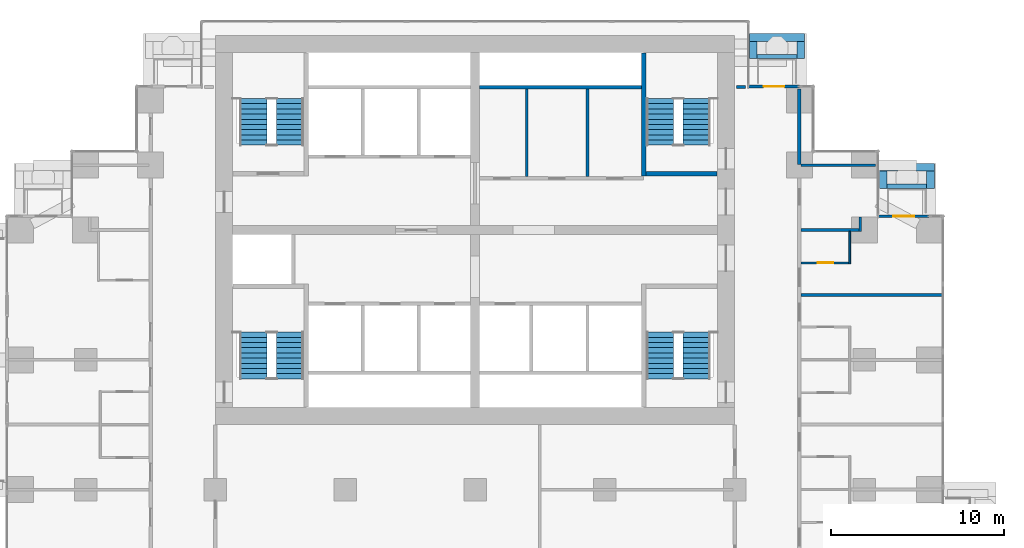
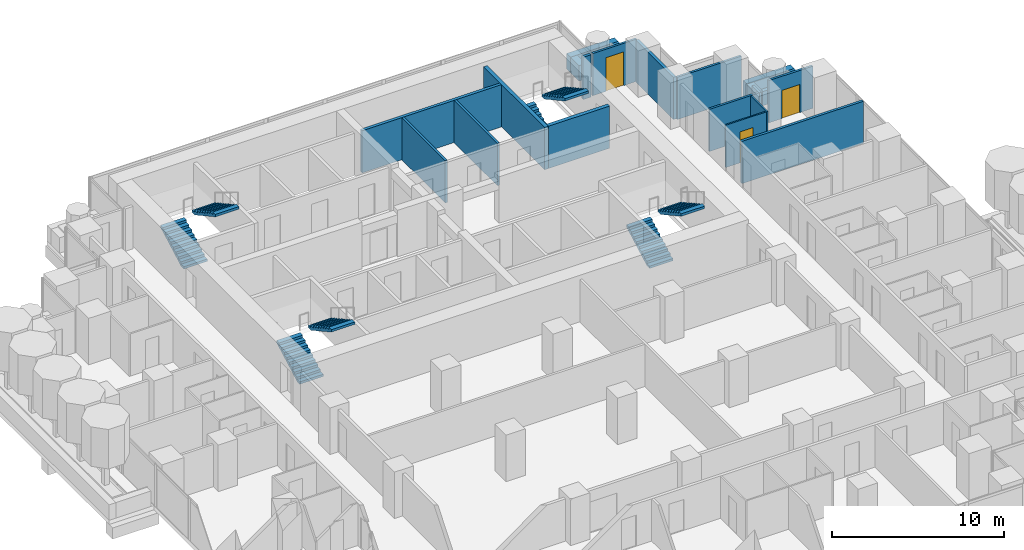
# One storey, part 15 of 18: 23 walls, 8 stair flights, 3 doors, 3 openings, 4 elements without a shape of their own.
"""IFC4 building model written with IfcOpenShell, lengths in metres."""

from ifc_helpers import new_model, si_unit, direction, frame, frame_2d, origin, place, context, subcontext, project, spatial, polyline, rectangle, outline, extrude, material, layer, layer_set, type_object, element, fill, aggregate, save


model = new_model("IFC4")

# Units and contexts
model_context = context("Model", 3, precision=1e-05, world=origin(), true_north=direction((0.0, 1.0)))
body_context = subcontext(model_context, "Body", "Model", "MODEL_VIEW")
ifc_project = project(units=[si_unit("LENGTHUNIT", "METRE"), si_unit("AREAUNIT", "SQUARE_METRE"), si_unit("VOLUMEUNIT", "CUBIC_METRE"), si_unit("PLANEANGLEUNIT", "RADIAN"), si_unit("MASSUNIT", "GRAM", prefix="KILO")], contexts=[model_context])

# Site, building, storey
site_placement = place(None, origin())
site = spatial("IfcSite", under=ifc_project, at=site_placement, CompositionType="ELEMENT")
building_placement = place(site_placement, origin())
building = spatial("IfcBuilding", under=site, at=building_placement, Name="Pilkhan Gate Tower", CompositionType="ELEMENT")
storey_placement = place(building_placement, frame((0.0, 0.0, 82.39990234375)))
storey = spatial("IfcBuildingStorey", under=building, at=storey_placement, Name="L19", CompositionType="ELEMENT", Elevation=82.39990234375)

# Walls
ifc_material_1 = material(Name="Dense blockwork", Category="masonry")
ifc_layer_1 = layer(ifc_material_1, 0.175048828125)
ifc_layer_set_1 = layer_set([ifc_layer_1], Name="Acoustic party wall PW175")
wall_type_1 = type_object("IfcWallType", Name="Acoustic party wall PW175", PredefinedType="PARTITIONING", material=ifc_layer_set_1)
wall_1_placement = place(storey_placement, frame((93.85009765625, 78.75, 0.0), z_axis=(0.0, 0.0, 1.0), x_axis=(1.0, 0.0, 0.0)))
element("IfcWall", 1, at=wall_1_placement, inside=storey, type_object=wall_type_1, Name="Partition L19", PredefinedType="PARTITIONING", context=body_context, shape_type="SweptSolid", body=[
    extrude(rectangle(XDim=8.164794921875, YDim=0.175048828125, at=frame_2d((4.08251953125, 0.0))), origin(), (0.0, 0.0, 1.0), 3.0),
])
ifc_material_2 = material(Name="Concrete C40/50", Category="concrete")
ifc_layer_2 = layer(ifc_material_2, 0.25)
ifc_layer_set_2 = layer_set([ifc_layer_2], Name="Balcony planter BP250")
wall_type_2 = type_object("IfcWallType", Name="Balcony planter BP250", PredefinedType="USERDEFINED", material=ifc_layer_set_2)
wall_2_placement = place(storey_placement, frame((91.300048828125, 92.52490234375, 0.0), z_axis=(0.0, 0.0, 1.0), x_axis=(1.0, 0.0, 0.0)))
element("IfcWall", 2, at=wall_2_placement, inside=storey, type_object=wall_type_2, Name="Balcony planter L19 N", ObjectType="BALCONY PLANTER", PredefinedType="USERDEFINED", context=body_context, shape_type="SweptSolid", body=[
    extrude(rectangle(XDim=2.300048828125, YDim=0.25, at=frame_2d((1.14990234375, 0.0))), origin(), (0.0, 0.0, 1.0), 1.0),
])
wall_3_placement = place(storey_placement, frame((98.820068359375, 85.02490234375, 0.0), z_axis=(0.0, 0.0, 1.0), x_axis=(1.0, 0.0, 0.0)))
element("IfcWall", 3, at=wall_3_placement, inside=storey, type_object=wall_type_2, Name="Balcony planter L19 N", ObjectType="BALCONY PLANTER", PredefinedType="USERDEFINED", context=body_context, shape_type="SweptSolid", body=[
    extrude(rectangle(XDim=2.280029296875, YDim=0.25, at=frame_2d((1.14013671875, 0.0))), origin(), (0.0, 0.0, 1.0), 1.0),
])
ifc_material_3 = material(Name="Board-marked Concrete C40/50", Category="concrete")
ifc_layer_3 = layer(ifc_material_3, 0.449951171875)
ifc_layer_set_3 = layer_set([ifc_layer_3], Name="Balcony planter lip BL450")
wall_type_3 = type_object("IfcWallType", Name="Balcony planter lip BL450", PredefinedType="USERDEFINED", material=ifc_layer_set_3)
wall_4_placement = place(storey_placement, frame((90.85009765625, 93.625, 0.0), z_axis=(0.0, 0.0, 1.0), x_axis=(1.0, 0.0, 0.0)))
element("IfcWall", 4, at=wall_4_placement, inside=storey, type_object=wall_type_3, Name="Balcony planter L19 N", ObjectType="BALCONY PLANTER", PredefinedType="USERDEFINED", context=body_context, shape_type="SweptSolid", body=[
    extrude(rectangle(XDim=3.199951171875, YDim=0.449951171875, at=frame_2d((1.60009765625, 0.0))), origin(), (0.0, 0.0, 1.0), 1.10009765625),
])
for number, where, z_axis, x_axis, name in (
    (5, (91.074951171875, 92.39990234375, 0.0), (0.0, 0.0, 1.0), (0.0, 1.0, 0.0), "Balcony planter L19 N"),
    (6, (93.824951171875, 92.39990234375, 0.0), (0.0, 0.0, 1.0), (0.0, 1.0, 0.0), "Balcony planter L19 N"),
):
    element("IfcWall", number, at=place(storey_placement, frame(where, z_axis=z_axis, x_axis=x_axis)), inside=storey, type_object=wall_type_3, Name=name, ObjectType="BALCONY PLANTER", PredefinedType="USERDEFINED", context=body_context, shape_type="SweptSolid", body=[
        extrude(rectangle(XDim=1.0, YDim=0.449951171875, at=frame_2d((0.5, 0.0))), origin(), (0.0, 0.0, 1.0), 1.10009765625),
    ])
wall_5_placement = place(storey_placement, frame((98.3701171875, 86.125, 0.0), z_axis=(0.0, 0.0, 1.0), x_axis=(1.0, 0.0, 0.0)))
element("IfcWall", 7, at=wall_5_placement, inside=storey, type_object=wall_type_3, Name="Balcony planter L19 N", ObjectType="BALCONY PLANTER", PredefinedType="USERDEFINED", context=body_context, shape_type="SweptSolid", body=[
    extrude(rectangle(XDim=3.179931640625, YDim=0.449951171875, at=frame_2d((1.58984375, 0.0))), origin(), (0.0, 0.0, 1.0), 1.10009765625),
])
for number, where, z_axis, x_axis, name in (
    (8, (98.594970703125, 84.89990234375, 0.0), (0.0, 0.0, 1.0), (0.0, 1.0, 0.0), "Balcony planter L19 N"),
    (9, (101.324951171875, 84.89990234375, 0.0), (0.0, 0.0, 1.0), (0.0, 1.0, 0.0), "Balcony planter L19 N"),
):
    element("IfcWall", number, at=place(storey_placement, frame(where, z_axis=z_axis, x_axis=x_axis)), inside=storey, type_object=wall_type_3, Name=name, ObjectType="BALCONY PLANTER", PredefinedType="USERDEFINED", context=body_context, shape_type="SweptSolid", body=[
        extrude(rectangle(XDim=1.0, YDim=0.449951171875, at=frame_2d((0.5, 0.0))), origin(), (0.0, 0.0, 1.0), 1.10009765625),
    ])
ifc_layer_4 = layer(ifc_material_1, 0.199951171875)
ifc_layer_set_4 = layer_set([ifc_layer_4], Name="Corridor wall FW200")
wall_type_4 = type_object("IfcWallType", Name="Corridor wall FW200", PredefinedType="PARTITIONING", material=ifc_layer_set_4)
wall_6_placement = place(storey_placement, frame((90.1201171875, 90.764892578125, 0.0), z_axis=(0.0, 0.0, 1.0), x_axis=(1.0, 0.0, 0.0)))
element("IfcWall", 10, at=wall_6_placement, inside=storey, type_object=wall_type_4, Name="Partition L19", PredefinedType="PARTITIONING", context=body_context, shape_type="SweptSolid", body=[
    extrude(rectangle(XDim=0.52490234375, YDim=0.199951171875, at=frame_2d((0.262451171875, 0.0))), origin(), (0.0, 0.0, 1.0), 3.0),
])
wall_7_placement = place(storey_placement, frame((93.75, 86.280029296875, 0.0), z_axis=(0.0, 0.0, 1.0), x_axis=(0.0, 1.0, 0.0)))
element("IfcWall", 11, at=wall_7_placement, inside=storey, type_object=wall_type_4, Name="Partition L19", PredefinedType="PARTITIONING", context=body_context, shape_type="SweptSolid", body=[
    extrude(rectangle(XDim=4.364990234375, YDim=0.199951171875, at=frame_2d((2.1826171875, 0.0))), origin(), (0.0, 0.0, 1.0), 3.0),
])

# Wall, opening, door
ifc_material_4 = material(Name="Pale anodised aluminium, clear laminated glazing", Category="aluminium")
ifc_layer_5 = layer(ifc_material_4, 0.14990234375)
ifc_layer_set_5 = layer_set([ifc_layer_5], Name="Facade infill wall IW150")
wall_type_5 = type_object("IfcWallType", Name="Facade infill wall IW150", PredefinedType="SOLIDWALL", material=ifc_layer_set_5)
wall_8_placement = place(storey_placement, frame((98.294921875, 83.294921875, 0.0), z_axis=(0.0, 0.0, 1.0), x_axis=(1.0, 0.0, 0.0)))
wall_8 = element("IfcWall", 12, at=wall_8_placement, inside=storey, type_object=wall_type_5, Name="Infill wall L19 N", PredefinedType="SOLIDWALL", context=body_context, shape_type="SweptSolid", body=[
    extrude(rectangle(XDim=2.955078125, YDim=0.14990234375, at=frame_2d((1.4775390625, 0.0))), origin(), (0.0, 0.0, 1.0), 3.0),
])
opening_1_placement = place(wall_8_placement, frame((0.87744140625, 0.0, 0.0)))
opening_1 = element("IfcOpeningElement", 13, at=opening_1_placement, cuts=wall_8, Name="Opening D1L", PredefinedType="OPENING", context=body_context, shape_type="SweptSolid", body=[
    extrude(rectangle(XDim=1.199951171875, YDim=2.0, at=frame_2d((0.60009765625, 1.0))), frame((0.0, 0.0849609375, 0.0), z_axis=(0.0, -1.0, 0.0), x_axis=(1.0, 0.0, 0.0)), (0.0, 0.0, 1.0), 0.169921875),
])
ifc_material_5 = material(Name="Pale anodised aluminium, clear glazing", Category="aluminium")
door_type_1 = type_object("IfcDoorType", Name="Balcony door D1L 1200x2000", OperationType="SINGLE_SWING_LEFT", PredefinedType="DOOR", material=ifc_material_5)
door_1_placement = place(opening_1_placement, origin())
door_1 = element("IfcDoor", 14, at=door_1_placement, inside=storey, type_object=door_type_1, Name="Balcony door L19", OperationType="SINGLE_SWING_LEFT", OverallHeight=2.0, OverallWidth=1.199951171875, PredefinedType="DOOR", context=body_context, shape_type="SweptSolid", body=[
    extrude(rectangle(XDim=1.199951171875, YDim=2.0, at=frame_2d((0.60009765625, 1.0))), frame((0.0, 0.02490234375, 0.0), z_axis=(0.0, -1.0, 0.0), x_axis=(1.0, 0.0, 0.0)), (0.0, 0.0, 1.0), 0.050048828125),
])
fill(opening_1, door_1)

wall_9_placement = place(storey_placement, frame((90.794921875, 90.794921875, 0.0), z_axis=(0.0, 0.0, 1.0), x_axis=(1.0, 0.0, 0.0)))
wall_9 = element("IfcWall", 15, at=wall_9_placement, inside=storey, type_object=wall_type_5, Name="Infill wall L19 N", PredefinedType="SOLIDWALL", context=body_context, shape_type="SweptSolid", body=[
    extrude(rectangle(XDim=2.955078125, YDim=0.14990234375, at=frame_2d((1.4775390625, 0.0))), origin(), (0.0, 0.0, 1.0), 3.0),
])
opening_2_placement = place(wall_9_placement, frame((0.87744140625, 0.0, 0.0)))
opening_2 = element("IfcOpeningElement", 16, at=opening_2_placement, cuts=wall_9, Name="Opening D1", PredefinedType="OPENING", context=body_context, shape_type="SweptSolid", body=[
    extrude(rectangle(XDim=1.199951171875, YDim=2.39990234375, at=frame_2d((0.60009765625, 1.199951171875))), frame((0.0, 0.0849609375, 0.0), z_axis=(0.0, -1.0, 0.0), x_axis=(1.0, 0.0, 0.0)), (0.0, 0.0, 1.0), 0.169921875),
])
door_type_2 = type_object("IfcDoorType", Name="Balcony door D1 1200x2400", OperationType="SINGLE_SWING_LEFT", PredefinedType="DOOR", material=ifc_material_5)
door_2_placement = place(opening_2_placement, origin())
door_2 = element("IfcDoor", 17, at=door_2_placement, inside=storey, type_object=door_type_2, Name="Balcony door L19", OperationType="SINGLE_SWING_LEFT", OverallHeight=2.39990234375, OverallWidth=1.199951171875, PredefinedType="DOOR", context=body_context, shape_type="SweptSolid", body=[
    extrude(rectangle(XDim=1.199951171875, YDim=2.39990234375, at=frame_2d((0.60009765625, 1.199951171875))), frame((0.0, 0.02490234375, 0.0), z_axis=(0.0, -1.0, 0.0), x_axis=(1.0, 0.0, 0.0)), (0.0, 0.0, 1.0), 0.050048828125),
])
fill(opening_2, door_2)

# Walls
ifc_layer_6 = layer(ifc_material_1, 0.199951171875)
ifc_layer_set_6 = layer_set([ifc_layer_6], Name="Lobby wall LW200")
wall_type_6 = type_object("IfcWallType", Name="Lobby wall LW200", PredefinedType="PARTITIONING", material=ifc_layer_set_6)
wall_10_placement = place(storey_placement, frame((75.260009765625, 90.75, 0.0), z_axis=(0.0, 0.0, 1.0), x_axis=(1.0, 0.0, 0.0)))
element("IfcWall", 18, at=wall_10_placement, inside=storey, type_object=wall_type_6, Name="Partition L19", PredefinedType="PARTITIONING", context=body_context, shape_type="SweptSolid", body=[
    extrude(rectangle(XDim=9.364990234375, YDim=0.199951171875, at=frame_2d((4.6826171875, 0.0))), origin(), (0.0, 0.0, 1.0), 3.0),
])
ifc_material_6 = material(Name="Blockwork partition, plastered both sides", Category="masonry")
ifc_layer_7 = layer(ifc_material_6, 0.14990234375)
ifc_layer_set_7 = layer_set([ifc_layer_7], Name="Partition PW150")
wall_type_7 = type_object("IfcWallType", Name="Partition PW150", PredefinedType="PARTITIONING", material=ifc_layer_set_7)
wall_11_placement = place(storey_placement, frame((93.85009765625, 82.5, 0.0), z_axis=(0.0, 0.0, 1.0), x_axis=(1.0, 0.0, 0.0)))
element("IfcWall", 19, at=wall_11_placement, inside=storey, type_object=wall_type_7, Name="Partition L19", PredefinedType="PARTITIONING", context=body_context, shape_type="SweptSolid", body=[
    extrude(rectangle(XDim=3.33984375, YDim=0.14990234375, at=frame_2d((1.669921875, 0.0))), origin(), (0.0, 0.0, 1.0), 3.0),
])
wall_12_placement = place(storey_placement, frame((93.85009765625, 86.25, 0.0), z_axis=(0.0, 0.0, 1.0), x_axis=(1.0, 0.0, 0.0)))
element("IfcWall", 20, at=wall_12_placement, inside=storey, type_object=wall_type_7, Name="Partition L19", PredefinedType="PARTITIONING", context=body_context, shape_type="SweptSolid", body=[
    extrude(rectangle(XDim=4.294921875, YDim=0.14990234375, at=frame_2d((2.1474609375, 0.0))), origin(), (0.0, 0.0, 1.0), 3.0),
])
for number, where, z_axis, x_axis, name in (
    (21, (78.0, 85.60009765625, 0.0), (0.0, 0.0, 1.0), (0.0, 1.0, 0.0), "Partition L19"),
    (22, (81.5, 85.60009765625, 0.0), (0.0, 0.0, 1.0), (0.0, 1.0, 0.0), "Partition L19"),
):
    element("IfcWall", number, at=place(storey_placement, frame(where, z_axis=z_axis, x_axis=x_axis)), inside=storey, type_object=wall_type_7, Name=name, PredefinedType="PARTITIONING", context=body_context, shape_type="SweptSolid", body=[
        extrude(rectangle(XDim=5.0498046875, YDim=0.14990234375, at=frame_2d((2.52490234375, 0.0))), origin(), (0.0, 0.0, 1.0), 3.0),
    ])
wall_13_placement = place(storey_placement, frame((97.264892578125, 82.425048828125, 0.0), z_axis=(0.0, 0.0, 1.0), x_axis=(0.0, 1.0, 0.0)))
element("IfcWall", 23, at=wall_13_placement, inside=storey, type_object=wall_type_7, Name="Partition L19", PredefinedType="PARTITIONING", context=body_context, shape_type="SweptSolid", body=[
    extrude(rectangle(XDim=0.83984375, YDim=0.14990234375, at=frame_2d((0.419921875, 0.0))), origin(), (0.0, 0.0, 1.0), 3.0),
])
ifc_material_7 = material(Name="Reinforced blockwork, 120 minute fire resisting", Category="masonry")
ifc_layer_8 = layer(ifc_material_7, 0.25)
ifc_layer_set_8 = layer_set([ifc_layer_8], Name="Stair enclosure wall SE250")
wall_type_8 = type_object("IfcWallType", Name="Stair enclosure wall SE250", PredefinedType="PARTITIONING", material=ifc_layer_set_8)
wall_14_placement = place(storey_placement, frame((84.875, 85.75, 0.0), z_axis=(0.0, 0.0, 1.0), x_axis=(1.0, 0.0, 0.0)))
element("IfcWall", 24, at=wall_14_placement, inside=storey, type_object=wall_type_8, Name="Partition L19", PredefinedType="PARTITIONING", context=body_context, shape_type="SweptSolid", body=[
    extrude(rectangle(XDim=4.114990234375, YDim=0.25, at=frame_2d((2.0576171875, 0.0))), origin(), (0.0, 0.0, 1.0), 3.0),
])
wall_15_placement = place(storey_placement, frame((84.75, 85.625, 0.0), z_axis=(0.0, 0.0, 1.0), x_axis=(0.0, 1.0, 0.0)))
element("IfcWall", 25, at=wall_15_placement, inside=storey, type_object=wall_type_8, Name="Partition L19", PredefinedType="PARTITIONING", context=body_context, shape_type="SweptSolid", body=[
    extrude(rectangle(XDim=7.114990234375, YDim=0.25, at=frame_2d((3.5576171875, 0.0))), origin(), (0.0, 0.0, 1.0), 3.0),
])

# Wall, opening, door
ifc_material_8 = material(Name="Moisture resistant board, tiled")
ifc_layer_9 = layer(ifc_material_8, 0.10009765625)
ifc_layer_set_9 = layer_set([ifc_layer_9], Name="Wet wall PW100")
wall_type_9 = type_object("IfcWallType", Name="Wet wall PW100", PredefinedType="PARTITIONING", material=ifc_layer_set_9)
wall_16_placement = place(storey_placement, frame((93.85009765625, 80.60009765625, 0.0), z_axis=(0.0, 0.0, 1.0), x_axis=(1.0, 0.0, 0.0)))
wall_16 = element("IfcWall", 26, at=wall_16_placement, inside=storey, type_object=wall_type_9, Name="Partition L19", PredefinedType="PARTITIONING", context=body_context, shape_type="SweptSolid", body=[
    extrude(rectangle(XDim=2.75, YDim=0.10009765625, at=frame_2d((1.375, 0.0))), origin(), (0.0, 0.0, 1.0), 3.0),
])
opening_3_placement = place(wall_16_placement, frame((0.949951171875, 0.0, 0.0)))
opening_3 = element("IfcOpeningElement", 27, at=opening_3_placement, cuts=wall_16, Name="Opening L19-43", PredefinedType="OPENING", context=body_context, shape_type="SweptSolid", body=[
    extrude(rectangle(XDim=0.89990234375, YDim=2.199951171875, at=frame_2d((0.449951171875, 1.10009765625))), frame((0.0, 0.06005859375, 0.0), z_axis=(0.0, -1.0, 0.0), x_axis=(1.0, 0.0, 0.0)), (0.0, 0.0, 1.0), 0.1201171875),
])
ifc_material_9 = material(Name="Timber flush door", Category="wood")
door_type_3 = type_object("IfcDoorType", Name="Bathroom door D02 900x2200", OperationType="SINGLE_SWING_RIGHT", PredefinedType="DOOR", material=ifc_material_9)
door_3_placement = place(opening_3_placement, origin())
door_3 = element("IfcDoor", 28, at=door_3_placement, inside=storey, type_object=door_type_3, Name="Bathroom door", OperationType="SINGLE_SWING_RIGHT", OverallHeight=2.199951171875, OverallWidth=0.89990234375, PredefinedType="DOOR", context=body_context, shape_type="SweptSolid", body=[
    extrude(rectangle(XDim=0.89990234375, YDim=2.199951171875, at=frame_2d((0.449951171875, 1.10009765625))), frame((0.0, 0.02490234375, 0.0), z_axis=(0.0, -1.0, 0.0), x_axis=(1.0, 0.0, 0.0)), (0.0, 0.0, 1.0), 0.050048828125),
])
fill(opening_3, door_3)

# Wall
wall_17_placement = place(storey_placement, frame((96.64990234375, 80.550048828125, 0.0), z_axis=(0.0, 0.0, 1.0), x_axis=(0.0, 1.0, 0.0)))
element("IfcWall", 29, at=wall_17_placement, inside=storey, type_object=wall_type_9, Name="Partition L19", PredefinedType="PARTITIONING", context=body_context, shape_type="SweptSolid", body=[
    extrude(rectangle(XDim=1.875, YDim=0.10009765625, at=frame_2d((0.9375, 0.0))), origin(), (0.0, 0.0, 1.0), 3.0),
])

# Stair, stair flights
ifc_material_10 = material(Name="Concrete C40/50 precast", Category="concrete")
stair_type_1 = type_object("IfcStairType", Name="Stair ST1 165x300", PredefinedType="HALF_TURN_STAIR", material=ifc_material_10)
stair_1_placement = place(storey_placement, origin())
stair_1 = element("IfcStair", 30, at=stair_1_placement, inside=storey, type_object=stair_type_1, Name="Stair ST1 L19", PredefinedType="HALF_TURN_STAIR")
stair_flight_type_1 = type_object("IfcStairFlightType", Name="Stair flight ST1 165x300x10", PredefinedType="STRAIGHT", material=ifc_material_10)
stair_flight_1_placement = place(storey_placement, frame((85.68994140625, 73.89990234375, 0.0), z_axis=(0.0, 0.0, 1.0), x_axis=(0.0, 1.0, 0.0)))
stair_flight_1 = element("IfcStairFlight", 31, at=stair_flight_1_placement, type_object=stair_flight_type_1, Name="ST1 flight 1", NumberOfRisers=10, NumberOfTreads=9, PredefinedType="STRAIGHT", RiserHeight=0.165, TreadLength=0.3, context=body_context, shape_type="SweptSolid", body=[
    extrude(outline(polyline([(0.0, 0.0), (0.0, 0.1650390625), (0.300048828125, 0.1650390625), (0.300048828125, 0.330078125), (0.60009765625, 0.330078125), (0.60009765625, 0.4951171875), (0.89990234375, 0.4951171875), (0.89990234375, 0.659912109375), (1.199951171875, 0.659912109375), (1.199951171875, 0.824951171875), (1.5, 0.824951171875), (1.5, 0.989990234375), (1.800048828125, 0.989990234375), (1.800048828125, 1.155029296875), (2.10009765625, 1.155029296875), (2.10009765625, 1.320068359375), (2.39990234375, 1.320068359375), (2.39990234375, 1.485107421875), (2.699951171875, 1.485107421875), (2.699951171875, 1.64990234375), (2.699951171875, 1.31396484375), (0.31103515625, 0.0), (0.0, 0.0)])), frame((0.0, 0.7900390625, 0.0), z_axis=(0.0, -1.0, 0.0), x_axis=(1.0, 0.0, 0.0)), (0.0, 0.0, 1.0), 1.580078125),
])
stair_flight_2_placement = place(storey_placement, frame((87.81005859375, 76.60009765625, 1.650146484375), z_axis=(0.0, 0.0, 1.0), x_axis=(0.0, -1.0, 0.0)))
stair_flight_2 = element("IfcStairFlight", 32, at=stair_flight_2_placement, type_object=stair_flight_type_1, Name="ST1 flight 2", NumberOfRisers=10, NumberOfTreads=9, PredefinedType="STRAIGHT", RiserHeight=0.165, TreadLength=0.3, context=body_context, shape_type="SweptSolid", body=[
    extrude(outline(polyline([(0.0, 0.0), (0.0, 0.1650390625), (0.300048828125, 0.1650390625), (0.300048828125, 0.330078125), (0.60009765625, 0.330078125), (0.60009765625, 0.4951171875), (0.89990234375, 0.4951171875), (0.89990234375, 0.659912109375), (1.199951171875, 0.659912109375), (1.199951171875, 0.824951171875), (1.5, 0.824951171875), (1.5, 0.989990234375), (1.800048828125, 0.989990234375), (1.800048828125, 1.155029296875), (2.10009765625, 1.155029296875), (2.10009765625, 1.320068359375), (2.39990234375, 1.320068359375), (2.39990234375, 1.485107421875), (2.699951171875, 1.485107421875), (2.699951171875, 1.64990234375), (2.699951171875, 1.31396484375), (0.31103515625, 0.0), (0.0, 0.0)])), frame((0.0, 0.7900390625, 0.0), z_axis=(0.0, -1.0, 0.0), x_axis=(1.0, 0.0, 0.0)), (0.0, 0.0, 1.0), 1.580078125),
])
aggregate(stair_1, [stair_flight_1, stair_flight_2])

stair_type_2 = type_object("IfcStairType", Name="Stair ST2 165x300", PredefinedType="HALF_TURN_STAIR", material=ifc_material_10)
stair_2_placement = place(storey_placement, origin())
stair_2 = element("IfcStair", 33, at=stair_2_placement, inside=storey, type_object=stair_type_2, Name="Stair ST2 L19", PredefinedType="HALF_TURN_STAIR")
stair_flight_type_2 = type_object("IfcStairFlightType", Name="Stair flight ST2 165x300x10", PredefinedType="STRAIGHT", material=ifc_material_10)
stair_flight_3_placement = place(storey_placement, frame((62.18994140625, 73.89990234375, 0.0), z_axis=(0.0, 0.0, 1.0), x_axis=(0.0, 1.0, 0.0)))
stair_flight_3 = element("IfcStairFlight", 34, at=stair_flight_3_placement, type_object=stair_flight_type_2, Name="ST2 flight 1", NumberOfRisers=10, NumberOfTreads=9, PredefinedType="STRAIGHT", RiserHeight=0.165, TreadLength=0.3, context=body_context, shape_type="SweptSolid", body=[
    extrude(outline(polyline([(0.0, 0.0), (0.0, 0.1650390625), (0.300048828125, 0.1650390625), (0.300048828125, 0.330078125), (0.60009765625, 0.330078125), (0.60009765625, 0.4951171875), (0.89990234375, 0.4951171875), (0.89990234375, 0.659912109375), (1.199951171875, 0.659912109375), (1.199951171875, 0.824951171875), (1.5, 0.824951171875), (1.5, 0.989990234375), (1.800048828125, 0.989990234375), (1.800048828125, 1.155029296875), (2.10009765625, 1.155029296875), (2.10009765625, 1.320068359375), (2.39990234375, 1.320068359375), (2.39990234375, 1.485107421875), (2.699951171875, 1.485107421875), (2.699951171875, 1.64990234375), (2.699951171875, 1.31396484375), (0.31103515625, 0.0), (0.0, 0.0)])), frame((0.0, 0.7900390625, 0.0), z_axis=(0.0, -1.0, 0.0), x_axis=(1.0, 0.0, 0.0)), (0.0, 0.0, 1.0), 1.580078125),
])
stair_flight_4_placement = place(storey_placement, frame((64.31005859375, 76.60009765625, 1.650146484375), z_axis=(0.0, 0.0, 1.0), x_axis=(0.0, -1.0, 0.0)))
stair_flight_4 = element("IfcStairFlight", 35, at=stair_flight_4_placement, type_object=stair_flight_type_2, Name="ST2 flight 2", NumberOfRisers=10, NumberOfTreads=9, PredefinedType="STRAIGHT", RiserHeight=0.165, TreadLength=0.3, context=body_context, shape_type="SweptSolid", body=[
    extrude(outline(polyline([(0.0, 0.0), (0.0, 0.1650390625), (0.300048828125, 0.1650390625), (0.300048828125, 0.330078125), (0.60009765625, 0.330078125), (0.60009765625, 0.4951171875), (0.89990234375, 0.4951171875), (0.89990234375, 0.659912109375), (1.199951171875, 0.659912109375), (1.199951171875, 0.824951171875), (1.5, 0.824951171875), (1.5, 0.989990234375), (1.800048828125, 0.989990234375), (1.800048828125, 1.155029296875), (2.10009765625, 1.155029296875), (2.10009765625, 1.320068359375), (2.39990234375, 1.320068359375), (2.39990234375, 1.485107421875), (2.699951171875, 1.485107421875), (2.699951171875, 1.64990234375), (2.699951171875, 1.31396484375), (0.31103515625, 0.0), (0.0, 0.0)])), frame((0.0, 0.7900390625, 0.0), z_axis=(0.0, -1.0, 0.0), x_axis=(1.0, 0.0, 0.0)), (0.0, 0.0, 1.0), 1.580078125),
])
aggregate(stair_2, [stair_flight_3, stair_flight_4])

stair_type_3 = type_object("IfcStairType", Name="Stair ST3 165x300", PredefinedType="HALF_TURN_STAIR", material=ifc_material_10)
stair_3_placement = place(storey_placement, origin())
stair_3 = element("IfcStair", 36, at=stair_3_placement, inside=storey, type_object=stair_type_3, Name="Stair ST3 L19", PredefinedType="HALF_TURN_STAIR")
stair_flight_type_3 = type_object("IfcStairFlightType", Name="Stair flight ST3 165x300x10", PredefinedType="STRAIGHT", material=ifc_material_10)
stair_flight_5_placement = place(storey_placement, frame((62.18994140625, 87.39990234375, 0.0), z_axis=(0.0, 0.0, 1.0), x_axis=(0.0, 1.0, 0.0)))
stair_flight_5 = element("IfcStairFlight", 37, at=stair_flight_5_placement, type_object=stair_flight_type_3, Name="ST3 flight 1", NumberOfRisers=10, NumberOfTreads=9, PredefinedType="STRAIGHT", RiserHeight=0.165, TreadLength=0.3, context=body_context, shape_type="SweptSolid", body=[
    extrude(outline(polyline([(0.0, 0.0), (0.0, 0.1650390625), (0.300048828125, 0.1650390625), (0.300048828125, 0.330078125), (0.60009765625, 0.330078125), (0.60009765625, 0.4951171875), (0.89990234375, 0.4951171875), (0.89990234375, 0.659912109375), (1.199951171875, 0.659912109375), (1.199951171875, 0.824951171875), (1.5, 0.824951171875), (1.5, 0.989990234375), (1.800048828125, 0.989990234375), (1.800048828125, 1.155029296875), (2.10009765625, 1.155029296875), (2.10009765625, 1.320068359375), (2.39990234375, 1.320068359375), (2.39990234375, 1.485107421875), (2.699951171875, 1.485107421875), (2.699951171875, 1.64990234375), (2.699951171875, 1.31396484375), (0.31103515625, 0.0), (0.0, 0.0)])), frame((0.0, 0.7900390625, 0.0), z_axis=(0.0, -1.0, 0.0), x_axis=(1.0, 0.0, 0.0)), (0.0, 0.0, 1.0), 1.580078125),
])
stair_flight_6_placement = place(storey_placement, frame((64.31005859375, 90.10009765625, 1.650146484375), z_axis=(0.0, 0.0, 1.0), x_axis=(0.0, -1.0, 0.0)))
stair_flight_6 = element("IfcStairFlight", 38, at=stair_flight_6_placement, type_object=stair_flight_type_3, Name="ST3 flight 2", NumberOfRisers=10, NumberOfTreads=9, PredefinedType="STRAIGHT", RiserHeight=0.165, TreadLength=0.3, context=body_context, shape_type="SweptSolid", body=[
    extrude(outline(polyline([(0.0, 0.0), (0.0, 0.1650390625), (0.300048828125, 0.1650390625), (0.300048828125, 0.330078125), (0.60009765625, 0.330078125), (0.60009765625, 0.4951171875), (0.89990234375, 0.4951171875), (0.89990234375, 0.659912109375), (1.199951171875, 0.659912109375), (1.199951171875, 0.824951171875), (1.5, 0.824951171875), (1.5, 0.989990234375), (1.800048828125, 0.989990234375), (1.800048828125, 1.155029296875), (2.10009765625, 1.155029296875), (2.10009765625, 1.320068359375), (2.39990234375, 1.320068359375), (2.39990234375, 1.485107421875), (2.699951171875, 1.485107421875), (2.699951171875, 1.64990234375), (2.699951171875, 1.31396484375), (0.31103515625, 0.0), (0.0, 0.0)])), frame((0.0, 0.7900390625, 0.0), z_axis=(0.0, -1.0, 0.0), x_axis=(1.0, 0.0, 0.0)), (0.0, 0.0, 1.0), 1.580078125),
])
aggregate(stair_3, [stair_flight_5, stair_flight_6])

stair_type_4 = type_object("IfcStairType", Name="Stair ST4 165x300", PredefinedType="HALF_TURN_STAIR", material=ifc_material_10)
stair_4_placement = place(storey_placement, origin())
stair_4 = element("IfcStair", 39, at=stair_4_placement, inside=storey, type_object=stair_type_4, Name="Stair ST4 L19", PredefinedType="HALF_TURN_STAIR")
stair_flight_type_4 = type_object("IfcStairFlightType", Name="Stair flight ST4 165x300x10", PredefinedType="STRAIGHT", material=ifc_material_10)
stair_flight_7_placement = place(storey_placement, frame((85.68994140625, 87.39990234375, 0.0), z_axis=(0.0, 0.0, 1.0), x_axis=(0.0, 1.0, 0.0)))
stair_flight_7 = element("IfcStairFlight", 40, at=stair_flight_7_placement, type_object=stair_flight_type_4, Name="ST4 flight 1", NumberOfRisers=10, NumberOfTreads=9, PredefinedType="STRAIGHT", RiserHeight=0.165, TreadLength=0.3, context=body_context, shape_type="SweptSolid", body=[
    extrude(outline(polyline([(0.0, 0.0), (0.0, 0.1650390625), (0.300048828125, 0.1650390625), (0.300048828125, 0.330078125), (0.60009765625, 0.330078125), (0.60009765625, 0.4951171875), (0.89990234375, 0.4951171875), (0.89990234375, 0.659912109375), (1.199951171875, 0.659912109375), (1.199951171875, 0.824951171875), (1.5, 0.824951171875), (1.5, 0.989990234375), (1.800048828125, 0.989990234375), (1.800048828125, 1.155029296875), (2.10009765625, 1.155029296875), (2.10009765625, 1.320068359375), (2.39990234375, 1.320068359375), (2.39990234375, 1.485107421875), (2.699951171875, 1.485107421875), (2.699951171875, 1.64990234375), (2.699951171875, 1.31396484375), (0.31103515625, 0.0), (0.0, 0.0)])), frame((0.0, 0.7900390625, 0.0), z_axis=(0.0, -1.0, 0.0), x_axis=(1.0, 0.0, 0.0)), (0.0, 0.0, 1.0), 1.580078125),
])
stair_flight_8_placement = place(storey_placement, frame((87.81005859375, 90.10009765625, 1.650146484375), z_axis=(0.0, 0.0, 1.0), x_axis=(0.0, -1.0, 0.0)))
stair_flight_8 = element("IfcStairFlight", 41, at=stair_flight_8_placement, type_object=stair_flight_type_4, Name="ST4 flight 2", NumberOfRisers=10, NumberOfTreads=9, PredefinedType="STRAIGHT", RiserHeight=0.165, TreadLength=0.3, context=body_context, shape_type="SweptSolid", body=[
    extrude(outline(polyline([(0.0, 0.0), (0.0, 0.1650390625), (0.300048828125, 0.1650390625), (0.300048828125, 0.330078125), (0.60009765625, 0.330078125), (0.60009765625, 0.4951171875), (0.89990234375, 0.4951171875), (0.89990234375, 0.659912109375), (1.199951171875, 0.659912109375), (1.199951171875, 0.824951171875), (1.5, 0.824951171875), (1.5, 0.989990234375), (1.800048828125, 0.989990234375), (1.800048828125, 1.155029296875), (2.10009765625, 1.155029296875), (2.10009765625, 1.320068359375), (2.39990234375, 1.320068359375), (2.39990234375, 1.485107421875), (2.699951171875, 1.485107421875), (2.699951171875, 1.64990234375), (2.699951171875, 1.31396484375), (0.31103515625, 0.0), (0.0, 0.0)])), frame((0.0, 0.7900390625, 0.0), z_axis=(0.0, -1.0, 0.0), x_axis=(1.0, 0.0, 0.0)), (0.0, 0.0, 1.0), 1.580078125),
])
aggregate(stair_4, [stair_flight_7, stair_flight_8])

save(model, "model.ifc")
